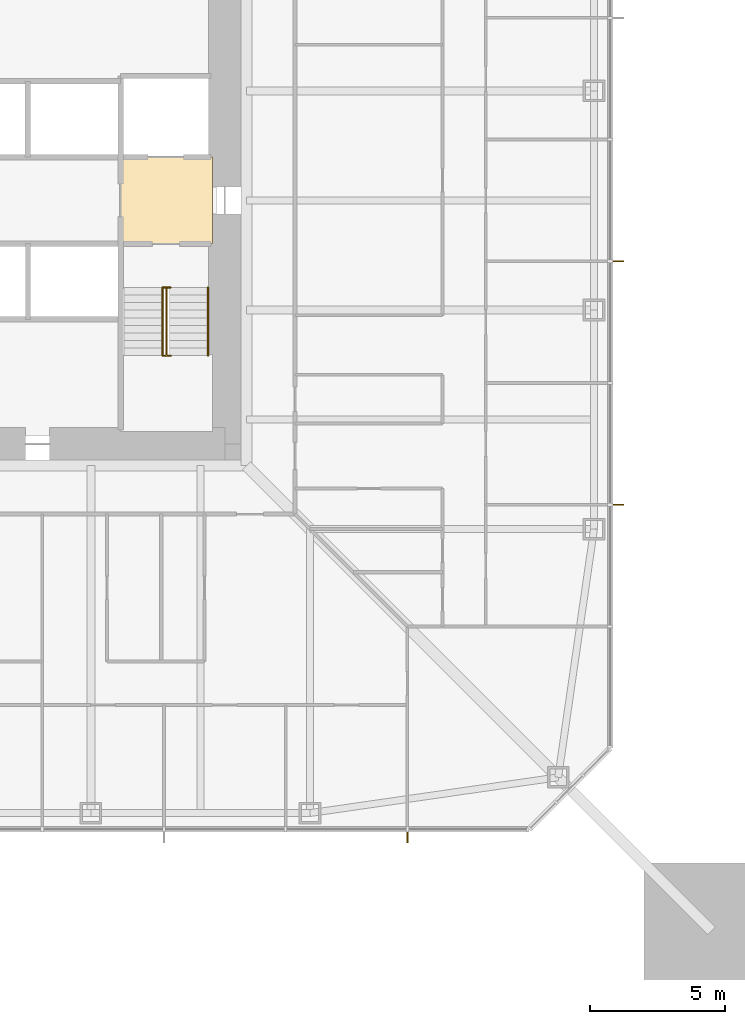
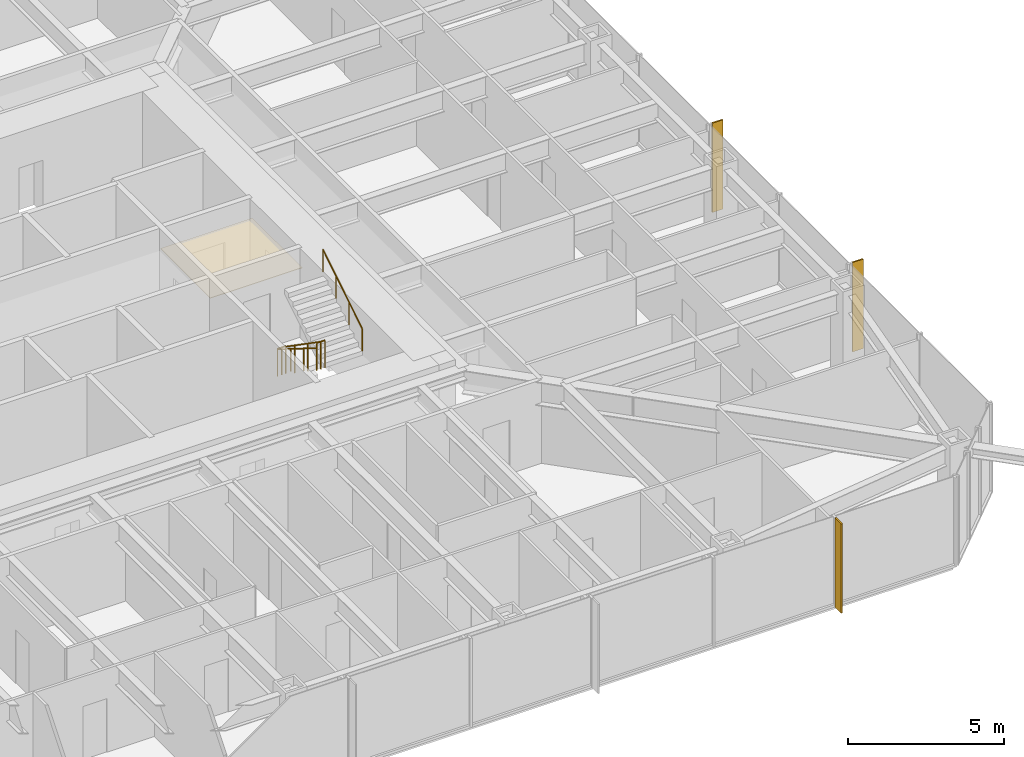
# One storey, part 24 of 26: 3 railings, 3 shading devices, 1 covering.
"""IFC4 building model written with IfcOpenShell, lengths in metres."""

from ifc_helpers import new_model, si_unit, direction, frame, origin, origin_2d, place, context, subcontext, project, spatial, polyline, rectangle, circle, outline, extrude, material, layer, layer_set, constituent, constituent_set, type_object, element, save


model = new_model("IFC4")

# Units and contexts
model_context = context("Model", 3, precision=1e-05, world=origin(), true_north=direction((0.0, 1.0)))
body_context = subcontext(model_context, "Body", "Model", "MODEL_VIEW")
ifc_project = project(units=[si_unit("LENGTHUNIT", "METRE"), si_unit("AREAUNIT", "SQUARE_METRE"), si_unit("VOLUMEUNIT", "CUBIC_METRE"), si_unit("PLANEANGLEUNIT", "RADIAN"), si_unit("MASSUNIT", "GRAM", prefix="KILO")], contexts=[model_context])

# Site, building, storey
site_placement = place(None, origin())
site = spatial("IfcSite", under=ifc_project, at=site_placement, CompositionType="ELEMENT")
building_placement = place(site_placement, origin())
building = spatial("IfcBuilding", under=site, at=building_placement, Name="Iwan Alto Co-Living Towers", CompositionType="ELEMENT")
storey_placement = place(building_placement, frame((0.0, 0.0, 50.0)))
storey = spatial("IfcBuildingStorey", under=building, at=storey_placement, Name="L13", CompositionType="ELEMENT", Elevation=50.0)

# Covering
ifc_material_1 = material(Name="Mineral fibre acoustic tiles on steel grid", Category="steel")
ifc_layer_1 = layer(ifc_material_1, 0.02001953125)
ifc_layer_set_1 = layer_set([ifc_layer_1], Name="ACOUSTIC TILE CEILING 20")
covering_type = type_object("IfcCoveringType", Name="ACOUSTIC TILE CEILING 20", PredefinedType="CEILING", material=ifc_layer_set_1)
covering_placement = place(storey_placement, frame((0.0, 0.0, 2.60009765625)))
element("IfcCovering", 1, at=covering_placement, inside=storey, type_object=covering_type, Name="Ceiling Firefighting lobby L13", PredefinedType="CEILING", context=body_context, shape_type="SweptSolid", body=[
    extrude(outline(polyline([(5.14990234375, -1.60009765625), (5.14990234375, 1.60009765625), (8.550048828125, 1.60009765625), (8.550048828125, -1.60009765625), (5.14990234375, -1.60009765625)])), origin(), (0.0, 0.0, 1.0), 0.02001953125),
])

# Shading devices
ifc_material_2 = material(Name="Aluminium 6063-T6 bronze anodised", Category="aluminium")
ifc_layer_2 = layer(ifc_material_2, 0.050048828125)
ifc_layer_set_2 = layer_set([ifc_layer_2], Name="BRONZE FIN 50X400")
shading_device_type = type_object("IfcShadingDeviceType", Name="BRONZE FIN 50X400", PredefinedType="USERDEFINED", material=ifc_layer_set_2)
for number, where, z_axis, x_axis, name in (
    (2, (15.75, -23.550048828125, 0.0), (0.0, 0.0, 1.0), (1.0, 0.0, 0.0), "Bronze fin L13"),
    (3, (23.550048828125, -11.25, 0.0), (0.0, 0.0, 1.0), (0.0, 1.0, 0.0), "Bronze fin L13"),
    (4, (23.550048828125, -2.25, 0.0), (0.0, 0.0, 1.0), (0.0, 1.0, 0.0), "Bronze fin L13"),
):
    element("IfcShadingDevice", number, at=place(storey_placement, frame(where, z_axis=z_axis, x_axis=x_axis)), inside=storey, type_object=shading_device_type, Name=name, ObjectType="LOUVER", PredefinedType="USERDEFINED", context=body_context, shape_type="SweptSolid", body=[
        extrude(rectangle(XDim=0.050048828125, YDim=0.39990234375, at=origin_2d()), origin(), (0.0, 0.0, 1.0), 3.5),
    ])

# Railings
ifc_material_3 = material(Name="Steel ASTM A500 Gr C", Category="steel")
ifc_constituent_1 = constituent(ifc_material_3, Name="Rails and posts", Category="Framing")
ifc_material_4 = material(Name="Steel ASTM A36", Category="steel")
ifc_constituent_2 = constituent(ifc_material_4, Name="Bar infill", Category="Infill")
ifc_constituent_set = constituent_set(constituents=[ifc_constituent_1, ifc_constituent_2], Name="STAIR GUARD 1100")
railing_type_1 = type_object("IfcRailingType", Name="STAIR GUARD 1100", PredefinedType="GUARDRAIL", material=ifc_constituent_set)
railing_1_placement = place(storey_placement, frame((6.85009765625, -3.219970703125, 0.0)))
element("IfcRailing", 5, at=railing_1_placement, inside=storey, type_object=railing_type_1, Name="Stair T1-S2 well guard L13", PredefinedType="GUARDRAIL", context=body_context, shape_type="SweptSolid", body=[
    extrude(circle(Radius=0.02392578125, at=origin_2d()), frame((0.0, 0.0, 1.076171875), z_axis=(0.0, -0.821372036852, 0.570392826987), x_axis=(1.0, 0.0, 0.0)), (0.0, 0.0, 1.0), 3.068115234375),
    extrude(circle(Radius=0.02392578125, at=origin_2d()), frame((-0.150146484375, 0.0, 1.076171875), z_axis=(1.0, 0.0, 0.0), x_axis=(0.0, 1.0, 0.0)), (0.0, 0.0, 1.0), 0.300048828125),
    extrude(circle(Radius=0.02392578125, at=origin_2d()), frame((-0.150146484375, -2.52001953125, 2.826171875), z_axis=(1.0, 0.0, 0.0), x_axis=(0.0, 1.0, 0.0)), (0.0, 0.0, 1.0), 0.300048828125),
    extrude(circle(Radius=0.02099609375, at=origin_2d()), origin(), (0.0, 0.0, 1.0), 1.052001953125),
    extrude(circle(Radius=0.02099609375, at=origin_2d()), frame((0.0, -0.840087890625, 0.583251953125)), (0.0, 0.0, 1.0), 1.052001953125),
    extrude(circle(Radius=0.02099609375, at=origin_2d()), frame((0.0, -1.679931640625, 1.166748046875)), (0.0, 0.0, 1.0), 1.052001953125),
    extrude(circle(Radius=0.02099609375, at=origin_2d()), frame((0.0, -2.52001953125, 1.75)), (0.0, 0.0, 1.0), 1.052001953125),
    extrude(circle(Radius=0.02099609375, at=origin_2d()), frame((-0.150146484375, 0.0, 0.0)), (0.0, 0.0, 1.0), 1.052001953125),
    extrude(circle(Radius=0.02099609375, at=origin_2d()), frame((0.14990234375, 0.0, 0.0)), (0.0, 0.0, 1.0), 1.052001953125),
    extrude(circle(Radius=0.02099609375, at=origin_2d()), frame((-0.150146484375, -2.52001953125, 1.75)), (0.0, 0.0, 1.0), 1.052001953125),
    extrude(circle(Radius=0.02099609375, at=origin_2d()), frame((0.14990234375, -2.52001953125, 1.75)), (0.0, 0.0, 1.0), 1.052001953125),
])
ifc_material_5 = material(Name="Steel ASTM A500 Gr C", Category="steel")
railing_type_2 = type_object("IfcRailingType", Name="STAIR HANDRAIL 900", PredefinedType="HANDRAIL", material=ifc_material_5)
railing_2_placement = place(storey_placement, frame((6.699951171875, -3.219970703125, 0.175048828125)))
element("IfcRailing", 6, at=railing_2_placement, inside=storey, type_object=railing_type_2, Name="Stair T1-S2 handrail 1 L13", PredefinedType="HANDRAIL", context=body_context, shape_type="SweptSolid", body=[
    extrude(circle(Radius=0.02392578125, at=origin_2d()), frame((0.0, 0.0, 0.8759765625), z_axis=(0.0, -0.848007534815, 0.529984170421), x_axis=(1.0, 0.0, 0.0)), (0.0, 0.0, 1.0), 2.9716796875),
    extrude(circle(Radius=0.02099609375, at=origin_2d()), origin(), (0.0, 0.0, 1.0), 0.851806640625),
    extrude(circle(Radius=0.02099609375, at=origin_2d()), frame((0.0, -0.840087890625, 0.52490234375)), (0.0, 0.0, 1.0), 0.851806640625),
    extrude(circle(Radius=0.02099609375, at=origin_2d()), frame((0.0, -1.679931640625, 1.050048828125)), (0.0, 0.0, 1.0), 0.851806640625),
    extrude(circle(Radius=0.02099609375, at=origin_2d()), frame((0.0, -2.52001953125, 1.574951171875)), (0.0, 0.0, 1.0), 0.851806640625),
])
railing_3_placement = place(storey_placement, frame((8.3798828125, -5.739990234375, 1.925048828125)))
element("IfcRailing", 7, at=railing_3_placement, inside=storey, type_object=railing_type_2, Name="Stair T1-S2 handrail 2 L13", PredefinedType="HANDRAIL", context=body_context, shape_type="SweptSolid", body=[
    extrude(circle(Radius=0.02392578125, at=origin_2d()), frame((0.0, 0.0, 0.8759765625), z_axis=(0.0, 0.848007534815, 0.529984170421), x_axis=(-1.0, 0.0, 0.0)), (0.0, 0.0, 1.0), 2.9716796875),
    extrude(circle(Radius=0.02099609375, at=origin_2d()), origin(), (0.0, 0.0, 1.0), 0.851806640625),
    extrude(circle(Radius=0.02099609375, at=origin_2d()), frame((0.0, 0.840087890625, 0.52490234375)), (0.0, 0.0, 1.0), 0.851806640625),
    extrude(circle(Radius=0.02099609375, at=origin_2d()), frame((0.0, 1.679931640625, 1.050048828125)), (0.0, 0.0, 1.0), 0.851806640625),
    extrude(circle(Radius=0.02099609375, at=origin_2d()), frame((0.0, 2.52001953125, 1.574951171875)), (0.0, 0.0, 1.0), 0.851806640625),
])

save(model, "model.ifc")
